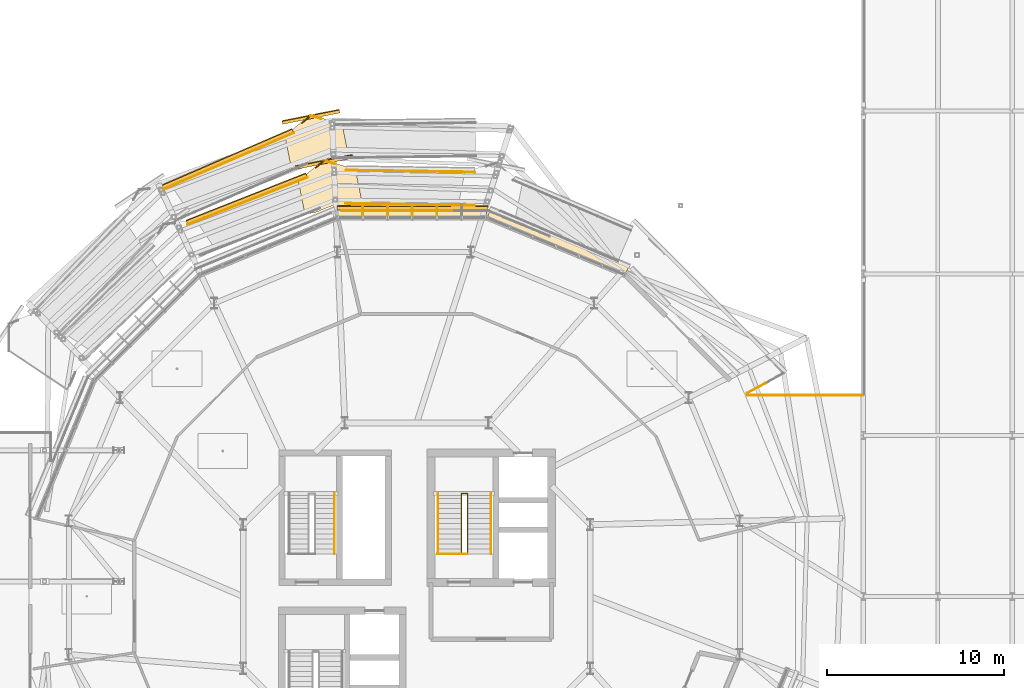
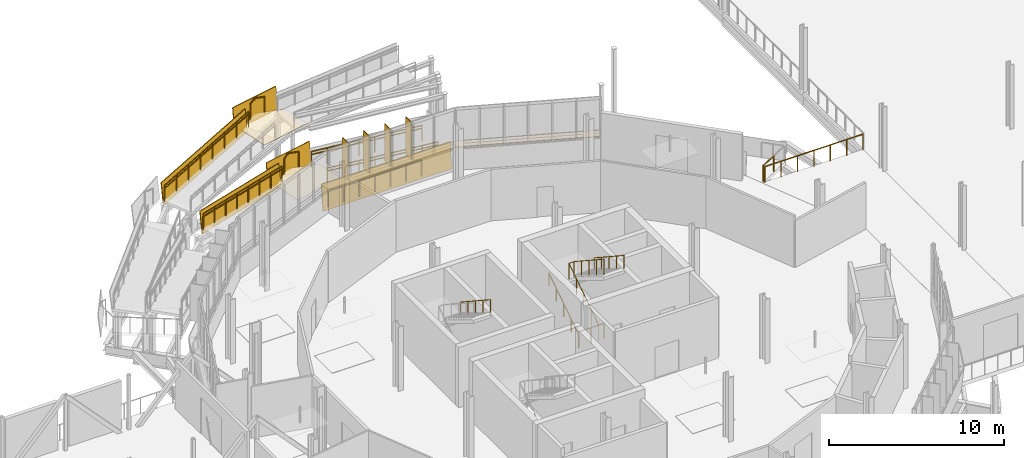
# One storey, part 133 of 139: 24 railings, 9 coverings, 4 shading devices.
"""IFC4 building model written with IfcOpenShell, lengths in metres."""

import ifcopenshell
import ifcopenshell.guid

model = None  # the IFC model being written
_history = None  # IfcOwnerHistory: only IFC2X3 demands one
_inside = {}  # id of a spatial element -> (the spatial element, [elements in it])
_under = {}  # id of a project, library or spatial element -> (it, [spatial elements below it])
_declared = {}  # id of a project -> (the project, [libraries it declares])
_typed = {}  # id of a type object -> (the type object, [elements of that type])
_made_of = {}  # id of a material, layer set ... -> (it, [elements and type objects made of it])


def new_model(schema):
    """Start an empty IFC model of exactly this schema.

    Asked for "IFC4X3", IfcOpenShell would pick the latest addendum, in which some entities
    have other attributes; the version numbers below select the first issue.
    IFC2X3 requires an IfcOwnerHistory on every rooted entity: one is made here for all.
    """
    global model, _history
    if schema == "IFC4X3":
        model = ifcopenshell.file(schema_version=(4, 3, 0, 0))
    else:
        model = ifcopenshell.file(schema=schema)
    _inside.clear()
    _under.clear()
    _declared.clear()
    _typed.clear()
    _made_of.clear()
    _history = None
    if model.schema == "IFC2X3":
        org = make("IfcOrganization", Name="unknown")
        user = make(
            "IfcPersonAndOrganization",
            ThePerson=make("IfcPerson", FamilyName="unknown"),
            TheOrganization=org,
        )
        app = make(
            "IfcApplication",
            ApplicationDeveloper=org,
            Version="unknown",
            ApplicationFullName="unknown",
            ApplicationIdentifier="unknown",
        )
        _history = make(
            "IfcOwnerHistory",
            OwningUser=user,
            OwningApplication=app,
            ChangeAction="ADDED",
            CreationDate=0,
        )
    return model


def make(cls, **values):
    """One entity of the class cls with the attributes given. An attribute that is None is left unset."""
    return model.create_entity(
        cls, **{name: value for name, value in values.items() if value is not None}
    )


def rooted(cls, **values):
    """An entity with a GlobalId (a new one), such as an element, a storey or a relation."""
    return make(cls, GlobalId=ifcopenshell.guid.new(), OwnerHistory=_history, **values)


def si_unit(unit_type, name, prefix=None):
    """IfcSIUnit, for example si_unit("LENGTHUNIT", "METRE", prefix="MILLI")."""
    return make("IfcSIUnit", UnitType=unit_type, Prefix=prefix, Name=name)


def derived_unit(unit_type, elements):
    """IfcDerivedUnit: a product of units, each with its exponent."""
    return make(
        "IfcDerivedUnit",
        Elements=[
            make("IfcDerivedUnitElement", Unit=unit, Exponent=power)
            for unit, power in elements
        ],
        UnitType=unit_type,
    )


def assignment(units):
    """IfcUnitAssignment: the units of a project."""
    return None if units is None else make("IfcUnitAssignment", Units=units)


def point(xyz):
    """IfcCartesianPoint."""
    return None if xyz is None else make("IfcCartesianPoint", Coordinates=xyz)


def direction(xyz):
    """IfcDirection."""
    return None if xyz is None else make("IfcDirection", DirectionRatios=xyz)


def frame(location, z_axis=None, x_axis=None):
    """IfcAxis2Placement3D, a coordinate frame: its origin and axes. An axis left out is left unset."""
    return make(
        "IfcAxis2Placement3D",
        Location=point(location),
        Axis=direction(z_axis),
        RefDirection=direction(x_axis),
    )


def frame_2d(location, x_axis=None):
    """IfcAxis2Placement2D, a coordinate frame in the plane: its origin and x axis."""
    return make(
        "IfcAxis2Placement2D", Location=point(location), RefDirection=direction(x_axis)
    )


def origin():
    """The frame at (0, 0, 0) with its axes left unset."""
    return frame((0.0, 0.0, 0.0))


def origin_2d():
    """The frame at (0, 0) in the plane with its x axis left unset."""
    return frame_2d((0.0, 0.0))


def place(relative_to, where):
    """IfcLocalPlacement: puts the frame where relative to a parent placement (None: the world)."""
    return make(
        "IfcLocalPlacement", PlacementRelTo=relative_to, RelativePlacement=where
    )


def context(
    kind, dimensions, precision=None, world=None, true_north=None, identifier=None
):
    """IfcGeometricRepresentationContext, for example the 3D "Model" context."""
    return make(
        "IfcGeometricRepresentationContext",
        ContextIdentifier=identifier,
        ContextType=kind,
        CoordinateSpaceDimension=dimensions,
        Precision=precision,
        WorldCoordinateSystem=world,
        TrueNorth=true_north,
    )


def subcontext(parent, identifier, kind, view, scale=None):
    """IfcGeometricRepresentationSubContext, for example "Body" below "Model"."""
    return make(
        "IfcGeometricRepresentationSubContext",
        ContextIdentifier=identifier,
        ContextType=kind,
        ParentContext=parent,
        TargetScale=scale,
        TargetView=view,
    )


def project(units=None, contexts=None):
    """IfcProject with its units and contexts."""
    return rooted(
        "IfcProject",
        Name="project",
        RepresentationContexts=contexts,
        UnitsInContext=assignment(units),
    )


def spatial(cls, under=None, at=None, **own):
    """A site, building, storey or space (cls), placed at a placement, below another one or the project."""
    s = rooted(cls, ObjectPlacement=at, **own)
    if under is not None:
        _under.setdefault(under.id(), (under, []))[1].append(s)
    return s


def polyline(points):
    """IfcPolyline through the points."""
    return make("IfcPolyline", Points=[point(p) for p in points])


def profile(cls, at=None, kind="AREA", **sizes):
    """A parametric profile (cls). Its sizes go by their IFC names, for example OverallWidth=200.0."""
    return make(cls, ProfileType=kind, Position=at, **sizes)


def rectangle(**sizes):
    """IfcRectangleProfileDef."""
    return profile("IfcRectangleProfileDef", **sizes)


def circle(**sizes):
    """IfcCircleProfileDef."""
    return profile("IfcCircleProfileDef", **sizes)


def outline(outer, holes=None, kind="AREA"):
    """IfcArbitraryClosedProfileDef: a profile drawn as a closed curve; with holes, ...WithVoids."""
    if holes is None:
        return make("IfcArbitraryClosedProfileDef", ProfileType=kind, OuterCurve=outer)
    return make(
        "IfcArbitraryProfileDefWithVoids",
        ProfileType=kind,
        OuterCurve=outer,
        InnerCurves=holes,
    )


def extrude(swept, where, along, depth):
    """IfcExtrudedAreaSolid: the profile swept, set in the frame where, extruded along a direction by depth."""
    return make(
        "IfcExtrudedAreaSolid",
        SweptArea=swept,
        Position=where,
        ExtrudedDirection=direction(along),
        Depth=depth,
    )


def shape(context_of_items, identifier, shape_type, items):
    """IfcShapeRepresentation: the items that make up one representation, for example the "Body"."""
    return make(
        "IfcShapeRepresentation",
        ContextOfItems=context_of_items,
        RepresentationIdentifier=identifier,
        RepresentationType=shape_type,
        Items=items,
    )


def material(Name=None, Category=None):
    """IfcMaterial."""
    return make("IfcMaterial", Name=Name, Category=Category)


def layer(
    of_material, thickness, ventilated=None, Name=None, Category=None, Priority=None
):
    """IfcMaterialLayer: one layer of a wall or slab, of a material (None: an air gap)."""
    return make(
        "IfcMaterialLayer",
        Material=of_material,
        LayerThickness=thickness,
        IsVentilated=ventilated,
        Name=Name,
        Category=Category,
        Priority=Priority,
    )


def layer_set(layers, Name=None):
    """IfcMaterialLayerSet."""
    return make("IfcMaterialLayerSet", MaterialLayers=layers, LayerSetName=Name)


def made_of(thing, what):
    """Note that an element or type object is made of a material, layer set ...; save() writes the relation."""
    if what is not None:
        _made_of.setdefault(what.id(), (what, []))[1].append(thing)
    return thing


def type_object(cls, material=None, **own):
    """A type object (cls), such as IfcWallType, which elements share."""
    return made_of(rooted(cls, **own), material)


def element(
    cls,
    number,
    at=None,
    inside=None,
    cuts=None,
    type_object=None,
    material=None,
    context=None,
    identifier="Body",
    shape_type=None,
    held_by="IfcProductDefinitionShape",
    body=None,
    shapes=None,
    **own,
):
    """One element of the class cls, such as IfcWall. Its Tag is "e" and its number.

    at: its placement. inside: the storey or other place that contains it. cuts: it is an
    opening in that element (IfcRelVoidsElement). A single representation is given by context,
    identifier, shape_type and body (its items); several are given by shapes. held_by: the class
    of the entity that holds the representations. save() writes the other relations.
    """
    e = rooted(cls, Tag="e%d" % number, ObjectPlacement=at, **own)
    if body is not None:
        shapes = [shape(context, identifier, shape_type, body)]
    if shapes is not None:
        e.Representation = make(held_by, Representations=shapes)
    if inside is not None:
        _inside.setdefault(inside.id(), (inside, []))[1].append(e)
    if cuts is not None:
        rooted(
            "IfcRelVoidsElement", RelatingBuildingElement=cuts, RelatedOpeningElement=e
        )
    if type_object is not None:
        _typed.setdefault(type_object.id(), (type_object, []))[1].append(e)
    return made_of(e, material)


def aggregate(whole, parts):
    """IfcRelAggregates: a whole, such as a stair, and the parts it consists of."""
    return rooted("IfcRelAggregates", RelatingObject=whole, RelatedObjects=parts)


def save(model, path):
    """Write the relations noted so far, then the file.

    IfcRelAggregates (storeys below a building ...), IfcRelContainedInSpatialStructure (elements
    in a storey), IfcRelDefinesByType, IfcRelAssociatesMaterial and IfcRelDeclares: one each for
    every whole, place, type object, material and project.
    """
    for whole, parts in _under.values():
        aggregate(whole, parts)
    for where, things in _inside.values():
        rooted(
            "IfcRelContainedInSpatialStructure",
            RelatedElements=things,
            RelatingStructure=where,
        )
    for kind, things in _typed.values():
        rooted("IfcRelDefinesByType", RelatedObjects=things, RelatingType=kind)
    for what, things in _made_of.values():
        rooted("IfcRelAssociatesMaterial", RelatedObjects=things, RelatingMaterial=what)
    for by, libraries in _declared.values():
        rooted("IfcRelDeclares", RelatingContext=by, RelatedDefinitions=libraries)
    model.write(path)


model = new_model("IFC4")

# Units and contexts
model_context = context("Model", 3, precision=1e-05, world=origin(), true_north=direction((0.0, 1.0)))
body_context = subcontext(model_context, "Body", "Model", "MODEL_VIEW")
ifc_project = project(units=[si_unit("LENGTHUNIT", "METRE"), si_unit("AREAUNIT", "SQUARE_METRE"), si_unit("VOLUMEUNIT", "CUBIC_METRE"), si_unit("PLANEANGLEUNIT", "RADIAN"), si_unit("MASSUNIT", "GRAM", prefix="KILO"), derived_unit("THERMALTRANSMITTANCEUNIT", [(si_unit("MASSUNIT", "GRAM", prefix="KILO"), 1), (si_unit("TIMEUNIT", "SECOND"), -3), (si_unit("THERMODYNAMICTEMPERATUREUNIT", "KELVIN"), -1)])], contexts=[model_context])

# Site, building, storey
site_placement = place(None, origin())
site = spatial("IfcSite", under=ifc_project, at=site_placement, CompositionType="ELEMENT")
building_placement = place(site_placement, origin())
building = spatial("IfcBuilding", under=site, at=building_placement, Name="Makaiwela Harbour Ferry Terminal", CompositionType="ELEMENT")
storey_placement = place(building_placement, frame((0.0, 0.0, 5.10009765625)))
storey = spatial("IfcBuildingStorey", under=building, at=storey_placement, Name="L01", CompositionType="ELEMENT", Elevation=5.10009765625)

# Coverings
ifc_material_1 = material(Name="White glazed marine ceramic rainscreen tile", Category="masonry")
ifc_layer_1 = layer(ifc_material_1, 0.054931640625)
ifc_layer_set_1 = layer_set([ifc_layer_1], Name="White glazed marine ceramic rainscreen tile")
covering_type_1 = type_object("IfcCoveringType", Name="ENV-CLD-CERAMIC", PredefinedType="CLADDING", material=ifc_layer_set_1)
covering_1_placement = place(storey_placement, frame((0.0, 0.0, 1.47998046875)))
element("IfcCovering", 1, at=covering_1_placement, inside=storey, type_object=covering_type_1, Name="Ceramic Ring Sill Cap CLD-0028", PredefinedType="CLADDING", context=body_context, shape_type="SweptSolid", body=[
    extrude(outline(polyline([(49.83740234375, 86.307861328125), (41.962646484375, 89.569580078125), (41.791748046875, 88.95361328125), (49.522705078125, 85.751220703125), (49.83740234375, 86.307861328125)])), origin(), (0.0, 0.0, 1.0), 0.054931640625),
])
covering_2_placement = place(storey_placement, frame((41.811767578125, 89.404296875, -0.260009765625), z_axis=(0.0, -0.994034102817, 0.109069713654), x_axis=(-1.0, 0.0, 0.0)))
element("IfcCovering", 2, at=covering_2_placement, inside=storey, type_object=covering_type_1, Name="Ceramic Spandrel Facet CLD-0029", PredefinedType="CLADDING", context=body_context, shape_type="SweptSolid", body=[
    extrude(outline(polyline([(0.0, 0.0), (8.5234375, 0.0), (8.5234375, -1.7907125035553744), (0.0, -1.7907125035553744), (0.0, 0.0)])), origin(), (0.0, 0.0, -1.0), 0.054931640625),
])
covering_3_placement = place(storey_placement, frame((0.0, 0.0, 1.47998046875)))
element("IfcCovering", 3, at=covering_3_placement, inside=storey, type_object=covering_type_1, Name="Ceramic Ring Sill Cap CLD-0030", PredefinedType="CLADDING", context=body_context, shape_type="SweptSolid", body=[
    extrude(outline(polyline([(41.811767578125, 89.599609375), (33.288330078125, 89.599609375), (33.365966796875, 88.965087890625), (41.73388671875, 88.965087890625), (41.811767578125, 89.599609375)])), origin(), (0.0, 0.0, 1.0), 0.054931640625),
])
covering_4_placement = place(storey_placement, frame((34.22265625, 92.341552734375, 0.945556640625), z_axis=(0.193910053797, -0.974844741443, 0.109893680973), x_axis=(-0.98078501504, -0.195091656081, 0.0)))
element("IfcCovering", 4, at=covering_4_placement, inside=storey, type_object=covering_type_1, Name="Coiled Ramp Ceramic Fascia CLD-R0027", PredefinedType="CLADDING", context=body_context, shape_type="SweptSolid", body=[
    extrude(outline(polyline([(0.0, 0.0), (3.299981357781899, 0.0), (3.300156921545571, -1.5292818593986046), (0.0001755637636711415, -1.5292818593986046), (0.0, 0.0)])), origin(), (0.0, 0.0, -1.0), 0.054931640625),
])
covering_5_placement = place(storey_placement, frame((31.61181640625, 91.306884765625, 0.945556640625), z_axis=(0.373822302299, -0.920961093419, 0.10994339777), x_axis=(-0.926589888124, -0.365571416989, 0.08825371554)))
element("IfcCovering", 5, at=covering_5_placement, inside=storey, type_object=covering_type_1, Name="Coiled Ramp Ceramic Fascia CLD-R0028", PredefinedType="CLADDING", context=body_context, shape_type="SweptSolid", body=[
    extrude(outline(polyline([(0.0, 0.0), (7.2864079061734115, -1.1102230246251565e-16), (7.420557159748373, -1.5231634349719725), (0.13426005072645752, -1.5233722114215582), (0.0, 0.0)])), origin(), (0.0, 0.0, -1.0), 0.054931640625),
])
covering_6_placement = place(storey_placement, frame((23.43603515625, 90.60888671875, 2.874267578125), z_axis=(0.386537525702, -0.915702102377, 0.109901778545), x_axis=(0.914919146927, 0.39574183066, 0.079444056124)))
element("IfcCovering", 6, at=covering_6_placement, inside=storey, type_object=covering_type_1, Name="Coiled Ramp Ceramic Fascia CLD-R0034", PredefinedType="CLADDING", context=body_context, shape_type="SweptSolid", body=[
    extrude(outline(polyline([(0.0, 0.0), (8.091508628652036, -1.1102230246251565e-16), (8.212347154847313, 1.5245022880185044), (0.12083852619527467, 1.5245022880185044), (0.0, 0.0)])), origin(), (0.0, 0.0, -1.0), 0.054931640625),
])
covering_7_placement = place(storey_placement, frame((33.46826171875, 94.886962890625, 3.51708984375), z_axis=(0.193910053797, -0.974844741443, 0.109893680973), x_axis=(-0.98078501504, -0.195091656081, 0.0)))
element("IfcCovering", 7, at=covering_7_placement, inside=storey, type_object=covering_type_1, Name="Coiled Ramp Ceramic Fascia CLD-R0035", PredefinedType="CLADDING", context=body_context, shape_type="SweptSolid", body=[
    extrude(outline(polyline([(0.0, 0.0), (3.299981357781899, 0.0), (3.300156921545571, -1.5292818593986046), (0.0001755637636711415, -1.5292818593986046), (0.0, 0.0)])), origin(), (0.0, 0.0, -1.0), 0.054931640625),
])

# Shading devices
ifc_material_2 = material(Name="Marine anodised aluminium 6063-T6", Category="aluminium")
ifc_layer_2 = layer(ifc_material_2, 0.054931640625)
ifc_layer_set_2 = layer_set([ifc_layer_2], Name="Marine anodised aluminium 6063-T6")
shading_device_type = type_object("IfcShadingDeviceType", Name="ENV-FIN-650", PredefinedType="USERDEFINED", material=ifc_layer_set_2)
for number, where, z_axis, x_axis, name in (
    (8, (38.944580078125, 89.403076171875, 1.614990234375), (0.0, 0.0, 1.0), (0.0, 1.0, 0.0), "Vertical Solar Fin SFN-0022"),
    (9, (37.550048828125, 89.403076171875, 1.614990234375), (0.0, 0.0, 1.0), (0.0, 1.0, 0.0), "Vertical Solar Fin SFN-0023"),
    (10, (36.1552734375, 89.403076171875, 1.614990234375), (0.0, 0.0, 1.0), (0.0, 1.0, 0.0), "Vertical Solar Fin SFN-0024"),
    (11, (34.7607421875, 89.403076171875, 1.614990234375), (0.0, 0.0, 1.0), (0.0, 1.0, 0.0), "Vertical Solar Fin SFN-0025"),
):
    element("IfcShadingDevice", number, at=place(storey_placement, frame(where, z_axis=z_axis, x_axis=x_axis)), inside=storey, type_object=shading_device_type, Name=name, ObjectType="SOLAR FIN", PredefinedType="USERDEFINED", context=body_context, shape_type="SweptSolid", body=[
        extrude(rectangle(XDim=0.64990234375, YDim=0.054931640625, at=origin_2d()), origin(), (0.0, 0.0, 1.0), 2.60009765625),
    ])

# Coverings
ifc_material_3 = material(Name="Honed coral-aggregate epoxy terrazzo flooring", Category="concrete")
ifc_layer_3 = layer(ifc_material_3, 0.02490234375)
ifc_layer_set_3 = layer_set([ifc_layer_3], Name="Honed coral-aggregate epoxy terrazzo flooring")
covering_type_2 = type_object("IfcCoveringType", Name="INT-COV-FLR", PredefinedType="FLOORING", material=ifc_layer_set_3)
covering_8_placement = place(storey_placement, frame((0.0, 0.0, 1.28564453125)))
element("IfcCovering", 12, at=covering_8_placement, inside=storey, type_object=covering_type_2, Name="Ramp Landing Terrazzo RMP-COIL-L01-LI2", PredefinedType="FLOORING", context=body_context, shape_type="SweptSolid", body=[
    extrude(outline(polyline([(32.16259765625, 89.294189453125), (33.0712890625, 89.67041015625), (33.0712890625, 89.670654296875), (33.071533203125, 89.670654296875), (33.07177734375, 89.670654296875), (33.072021484375, 89.670654296875), (34.0556640625, 89.670654296875), (34.727294921875, 89.80419921875), (34.348876953125, 91.70703125), (32.560791015625, 92.23828125), (31.1123046875, 91.063232421875), (31.49072265625, 89.160400390625), (32.16259765625, 89.294189453125)])), origin(), (0.0, 0.0, 1.0), 0.02490234375),
])
covering_9_placement = place(storey_placement, frame((0.0, 0.0, 3.85693359375)))
element("IfcCovering", 13, at=covering_9_placement, inside=storey, type_object=covering_type_2, Name="Ramp Landing Terrazzo RMP-COIL-L01-LO2", PredefinedType="FLOORING", context=body_context, shape_type="SweptSolid", body=[
    extrude(outline(polyline([(33.970947265625, 92.359375), (33.594482421875, 94.252197265625), (31.806396484375, 94.78369140625), (30.35791015625, 93.6083984375), (30.734375, 91.715576171875), (33.970947265625, 92.359375)])), origin(), (0.0, 0.0, 1.0), 0.025146484375),
])

# Railings
ifc_material_4 = material(Name="Marine grade 316L brushed stainless steel", Category="steel")
railing_type_1 = type_object("IfcRailingType", Name="INT-RL-GRD110", PredefinedType="GUARDRAIL", material=ifc_material_4)
railing_1_placement = place(storey_placement, frame((38.969970703125, 70.0, 0.0)))
element("IfcRailing", 14, at=railing_1_placement, inside=storey, type_object=railing_type_1, Name="Stair top well guardrail RL-0002", PredefinedType="GUARDRAIL", context=body_context, shape_type="SweptSolid", body=[
    extrude(circle(Radius=0.02392578125, at=origin_2d()), frame((0.0, 0.0, 1.09619140625), z_axis=(1.0, 0.0, 0.0), x_axis=(0.0, 1.0, 0.0)), (0.0, 0.0, 1.0), 1.696044921875),
    extrude(circle(Radius=0.02099609375, at=origin_2d()), origin(), (0.0, 0.0, 1.0), 1.072021484375),
    extrude(circle(Radius=0.02099609375, at=origin_2d()), frame((0.84814453125, 0.0, 0.0)), (0.0, 0.0, 1.0), 1.072021484375),
    extrude(circle(Radius=0.02099609375, at=origin_2d()), frame((1.696044921875, 0.0, 0.0)), (0.0, 0.0, 1.0), 1.072021484375),
])
railing_2_placement = place(storey_placement, frame((40.325927734375, 70.0, 0.0)))
element("IfcRailing", 15, at=railing_2_placement, inside=storey, type_object=railing_type_1, Name="Stair well guardrail RL-0005", PredefinedType="GUARDRAIL", context=body_context, shape_type="SweptSolid", body=[
    extrude(circle(Radius=0.02392578125, at=origin_2d()), frame((0.0, 0.0, 1.09619140625), z_axis=(0.0, 0.835411317272, 0.549625264133), x_axis=(-1.0, 0.0, 0.0)), (0.0, 0.0, 1.0), 4.09375),
    extrude(circle(Radius=0.02392578125, at=origin_2d()), frame((0.0, 3.419921875, 3.34619140625), z_axis=(1.0, 0.0, 0.0), x_axis=(0.0, 1.0, 0.0)), (0.0, 0.0, 1.0), 0.340087890625),
    extrude(circle(Radius=0.02392578125, at=origin_2d()), frame((0.340087890625, 3.419921875, 3.34619140625), z_axis=(0.0, -0.835411317272, 0.549625264133), x_axis=(1.0, 0.0, 0.0)), (0.0, 0.0, 1.0), 4.09375),
    extrude(circle(Radius=0.02099609375, at=origin_2d()), origin(), (0.0, 0.0, 1.0), 1.072021484375),
    extrude(circle(Radius=0.02099609375, at=origin_2d()), frame((0.0, 0.85498046875, 0.5625)), (0.0, 0.0, 1.0), 1.072021484375),
    extrude(circle(Radius=0.02099609375, at=origin_2d()), frame((0.0, 1.7099609375, 1.125)), (0.0, 0.0, 1.0), 1.072021484375),
    extrude(circle(Radius=0.02099609375, at=origin_2d()), frame((0.0, 2.56494140625, 1.6875)), (0.0, 0.0, 1.0), 1.072021484375),
    extrude(circle(Radius=0.02099609375, at=origin_2d()), frame((0.0, 3.419921875, 2.25)), (0.0, 0.0, 1.0), 1.072021484375),
    extrude(circle(Radius=0.02099609375, at=origin_2d()), frame((0.340087890625, 3.419921875, 2.25)), (0.0, 0.0, 1.0), 1.072021484375),
    extrude(circle(Radius=0.02099609375, at=origin_2d()), frame((0.340087890625, 2.56494140625, 2.8125)), (0.0, 0.0, 1.0), 1.072021484375),
    extrude(circle(Radius=0.02099609375, at=origin_2d()), frame((0.340087890625, 1.7099609375, 3.375)), (0.0, 0.0, 1.0), 1.072021484375),
    extrude(circle(Radius=0.02099609375, at=origin_2d()), frame((0.340087890625, 0.85498046875, 3.9375)), (0.0, 0.0, 1.0), 1.072021484375),
    extrude(circle(Radius=0.02099609375, at=origin_2d()), frame((0.340087890625, 0.0, 4.5)), (0.0, 0.0, 1.0), 1.072021484375),
])
for number, where, name in (
    (16, (41.044189453125, 89.67041015625, 0.642822265625), "Ramp guardrail RL-0141"),
    (17, (41.0712890625, 91.55029296875, 0.642822265625), "Ramp guardrail RL-0143"),
):
    element("IfcRailing", number, at=place(storey_placement, frame(where)), inside=storey, type_object=railing_type_1, Name=name, PredefinedType="GUARDRAIL", context=body_context, shape_type="SweptSolid", body=[
        extrude(circle(Radius=0.02392578125, at=origin_2d()), frame((0.0, 0.0, 1.09619140625), z_axis=(-0.995986833902, 0.014294535114, 0.088350964681), x_axis=(-0.014350654681, -0.999897024053, 0.0)), (0.0, 0.0, 1.0), 7.27587890625),
        extrude(circle(Radius=0.02099609375, at=origin_2d()), origin(), (0.0, 0.0, 1.0), 1.072021484375),
        extrude(circle(Radius=0.02099609375, at=origin_2d()), frame((-1.03515625, 0.014892578125, 0.091796875)), (0.0, 0.0, 1.0), 1.072021484375),
        extrude(circle(Radius=0.02099609375, at=origin_2d()), frame((-2.070556640625, 0.02978515625, 0.18359375)), (0.0, 0.0, 1.0), 1.072021484375),
        extrude(circle(Radius=0.02099609375, at=origin_2d()), frame((-3.105712890625, 0.044677734375, 0.275390625)), (0.0, 0.0, 1.0), 1.072021484375),
        extrude(circle(Radius=0.02099609375, at=origin_2d()), frame((-4.140869140625, 0.059326171875, 0.367431640625)), (0.0, 0.0, 1.0), 1.072021484375),
        extrude(circle(Radius=0.02099609375, at=origin_2d()), frame((-5.176025390625, 0.07421875, 0.459228515625)), (0.0, 0.0, 1.0), 1.072021484375),
        extrude(circle(Radius=0.02099609375, at=origin_2d()), frame((-6.21142578125, 0.089111328125, 0.551025390625)), (0.0, 0.0, 1.0), 1.072021484375),
        extrude(circle(Radius=0.02099609375, at=origin_2d()), frame((-7.24658203125, 0.10400390625, 0.642822265625)), (0.0, 0.0, 1.0), 1.072021484375),
    ])
railing_3_placement = place(storey_placement, frame((31.632568359375, 91.25390625, 1.28564453125)))
element("IfcRailing", 18, at=railing_3_placement, inside=storey, type_object=railing_type_1, Name="Ramp guardrail RL-0147", PredefinedType="GUARDRAIL", context=body_context, shape_type="SweptSolid", body=[
    extrude(circle(Radius=0.02392578125, at=origin_2d()), frame((0.0, 0.0, 1.09619140625), z_axis=(-0.926586171248, -0.365588403648, 0.088222368876), x_axis=(0.367019484203, -0.93021325416, 0.0)), (0.0, 0.0, 1.0), 7.286376953125),
    extrude(circle(Radius=0.02099609375, at=origin_2d()), origin(), (0.0, 0.0, 1.0), 1.072021484375),
    extrude(circle(Radius=0.02099609375, at=origin_2d()), frame((-0.964599609375, -0.380615234375, 0.091796875)), (0.0, 0.0, 1.0), 1.072021484375),
    extrude(circle(Radius=0.02099609375, at=origin_2d()), frame((-1.928955078125, -0.760986328125, 0.18359375)), (0.0, 0.0, 1.0), 1.072021484375),
    extrude(circle(Radius=0.02099609375, at=origin_2d()), frame((-2.8935546875, -1.1416015625, 0.275390625)), (0.0, 0.0, 1.0), 1.072021484375),
    extrude(circle(Radius=0.02099609375, at=origin_2d()), frame((-3.85791015625, -1.522216796875, 0.367431640625)), (0.0, 0.0, 1.0), 1.072021484375),
    extrude(circle(Radius=0.02099609375, at=origin_2d()), frame((-4.822509765625, -1.90283203125, 0.459228515625)), (0.0, 0.0, 1.0), 1.072021484375),
    extrude(circle(Radius=0.02099609375, at=origin_2d()), frame((-5.786865234375, -2.283203125, 0.551025390625)), (0.0, 0.0, 1.0), 1.072021484375),
    extrude(circle(Radius=0.02099609375, at=origin_2d()), frame((-6.75146484375, -2.663818359375, 0.642822265625)), (0.0, 0.0, 1.0), 1.072021484375),
])
railing_4_placement = place(storey_placement, frame((23.45849609375, 90.556640625, 3.214111328125)))
element("IfcRailing", 19, at=railing_4_placement, inside=storey, type_object=railing_type_1, Name="Ramp guardrail RL-0159", PredefinedType="GUARDRAIL", context=body_context, shape_type="SweptSolid", body=[
    extrude(circle(Radius=0.02392578125, at=origin_2d()), frame((0.0, 0.0, 1.09619140625), z_axis=(0.914924062507, 0.39573090634, 0.079441863098), x_axis=(-0.396985578938, 0.917824847188, 0.0)), (0.0, 0.0, 1.0), 8.091796875),
    extrude(circle(Radius=0.02099609375, at=origin_2d()), origin(), (0.0, 0.0, 1.0), 1.072021484375),
    extrude(circle(Radius=0.02099609375, at=origin_2d()), frame((1.0576171875, 0.45751953125, 0.091796875)), (0.0, 0.0, 1.0), 1.072021484375),
    extrude(circle(Radius=0.02099609375, at=origin_2d()), frame((2.115234375, 0.914794921875, 0.18359375)), (0.0, 0.0, 1.0), 1.072021484375),
    extrude(circle(Radius=0.02099609375, at=origin_2d()), frame((3.1728515625, 1.372314453125, 0.275390625)), (0.0, 0.0, 1.0), 1.072021484375),
    extrude(circle(Radius=0.02099609375, at=origin_2d()), frame((4.23046875, 1.829833984375, 0.367431640625)), (0.0, 0.0, 1.0), 1.072021484375),
    extrude(circle(Radius=0.02099609375, at=origin_2d()), frame((5.2880859375, 2.287353515625, 0.459228515625)), (0.0, 0.0, 1.0), 1.072021484375),
    extrude(circle(Radius=0.02099609375, at=origin_2d()), frame((6.345703125, 2.74462890625, 0.551025390625)), (0.0, 0.0, 1.0), 1.072021484375),
    extrude(circle(Radius=0.02099609375, at=origin_2d()), frame((7.4033203125, 3.2021484375, 0.642822265625)), (0.0, 0.0, 1.0), 1.072021484375),
])
railing_5_placement = place(storey_placement, frame((33.596435546875, 89.361328125, 0.0)))
element("IfcRailing", 20, at=railing_5_placement, inside=storey, type_object=railing_type_1, Name="Deck edge guardrail RL-0280", PredefinedType="GUARDRAIL", context=body_context, shape_type="SweptSolid", body=[
    extrude(circle(Radius=0.02392578125, at=origin_2d()), frame((0.0, 0.0, 1.09619140625), z_axis=(1.0, 0.0, 0.0), x_axis=(0.0, 1.0, 0.0)), (0.0, 0.0, 1.0), 2.061767578125),
    extrude(circle(Radius=0.02099609375, at=origin_2d()), origin(), (0.0, 0.0, 1.0), 1.072021484375),
    extrude(circle(Radius=0.02099609375, at=origin_2d()), frame((1.03076171875, 0.0, 0.0)), (0.0, 0.0, 1.0), 1.072021484375),
    extrude(circle(Radius=0.02099609375, at=origin_2d()), frame((2.061767578125, 0.0, 0.0)), (0.0, 0.0, 1.0), 1.072021484375),
])
railing_6_placement = place(storey_placement, frame((35.658203125, 89.361328125, 0.0)))
element("IfcRailing", 21, at=railing_6_placement, inside=storey, type_object=railing_type_1, Name="Deck edge guardrail RL-0281", PredefinedType="GUARDRAIL", context=body_context, shape_type="SweptSolid", body=[
    extrude(circle(Radius=0.02392578125, at=origin_2d()), frame((0.0, 0.0, 1.09619140625), z_axis=(1.0, 0.0, 0.0), x_axis=(0.0, 1.0, 0.0)), (0.0, 0.0, 1.0), 2.061279296875),
    extrude(circle(Radius=0.02099609375, at=origin_2d()), origin(), (0.0, 0.0, 1.0), 1.072021484375),
    extrude(circle(Radius=0.02099609375, at=origin_2d()), frame((1.03076171875, 0.0, 0.0)), (0.0, 0.0, 1.0), 1.072021484375),
    extrude(circle(Radius=0.02099609375, at=origin_2d()), frame((2.061279296875, 0.0, 0.0)), (0.0, 0.0, 1.0), 1.072021484375),
])
railing_7_placement = place(storey_placement, frame((37.719482421875, 89.361328125, 0.0)))
element("IfcRailing", 22, at=railing_7_placement, inside=storey, type_object=railing_type_1, Name="Deck edge guardrail RL-0282", PredefinedType="GUARDRAIL", context=body_context, shape_type="SweptSolid", body=[
    extrude(circle(Radius=0.02392578125, at=origin_2d()), frame((0.0, 0.0, 1.09619140625), z_axis=(1.0, 0.0, 0.0), x_axis=(0.0, 1.0, 0.0)), (0.0, 0.0, 1.0), 2.061767578125),
    extrude(circle(Radius=0.02099609375, at=origin_2d()), origin(), (0.0, 0.0, 1.0), 1.072021484375),
    extrude(circle(Radius=0.02099609375, at=origin_2d()), frame((1.03076171875, 0.0, 0.0)), (0.0, 0.0, 1.0), 1.072021484375),
    extrude(circle(Radius=0.02099609375, at=origin_2d()), frame((2.061767578125, 0.0, 0.0)), (0.0, 0.0, 1.0), 1.072021484375),
])
railing_8_placement = place(storey_placement, frame((57.4697265625, 79.636962890625, 0.0)))
element("IfcRailing", 23, at=railing_8_placement, inside=storey, type_object=railing_type_1, Name="Deck edge guardrail RL-0289", PredefinedType="GUARDRAIL", context=body_context, shape_type="SweptSolid", body=[
    extrude(circle(Radius=0.02392578125, at=origin_2d()), frame((0.0, 0.0, 1.09619140625), z_axis=(-0.877656340309, -0.47929046341, 0.0), x_axis=(0.47929046341, -0.877656340309, 0.0)), (0.0, 0.0, 1.0), 1.170654296875),
    extrude(circle(Radius=0.02099609375, at=origin_2d()), origin(), (0.0, 0.0, 1.0), 1.072021484375),
    extrude(circle(Radius=0.02099609375, at=origin_2d()), frame((-1.02734375, -0.56103515625, 0.0)), (0.0, 0.0, 1.0), 1.072021484375),
])
railing_9_placement = place(storey_placement, frame((56.4755859375, 78.955078125, 0.0)))
element("IfcRailing", 24, at=railing_9_placement, inside=storey, type_object=railing_type_1, Name="Deck edge guardrail RL-0290", PredefinedType="GUARDRAIL", context=body_context, shape_type="SweptSolid", body=[
    extrude(circle(Radius=0.02392578125, at=origin_2d()), frame((0.0, 0.0, 1.09619140625), z_axis=(1.0, 0.0, 0.0), x_axis=(0.0, 1.0, 0.0)), (0.0, 0.0, 1.0), 2.168701171875),
    extrude(circle(Radius=0.02099609375, at=origin_2d()), origin(), (0.0, 0.0, 1.0), 1.072021484375),
    extrude(circle(Radius=0.02099609375, at=origin_2d()), frame((1.08447265625, 0.0, 0.0)), (0.0, 0.0, 1.0), 1.072021484375),
    extrude(circle(Radius=0.02099609375, at=origin_2d()), frame((2.168701171875, 0.0, 0.0)), (0.0, 0.0, 1.0), 1.072021484375),
])
railing_10_placement = place(storey_placement, frame((58.644287109375, 78.955078125, 0.0)))
element("IfcRailing", 25, at=railing_10_placement, inside=storey, type_object=railing_type_1, Name="Deck edge guardrail RL-0291", PredefinedType="GUARDRAIL", context=body_context, shape_type="SweptSolid", body=[
    extrude(circle(Radius=0.02392578125, at=origin_2d()), frame((0.0, 0.0, 1.09619140625), z_axis=(1.0, 0.0, 0.0), x_axis=(0.0, 1.0, 0.0)), (0.0, 0.0, 1.0), 2.1689453125),
    extrude(circle(Radius=0.02099609375, at=origin_2d()), origin(), (0.0, 0.0, 1.0), 1.072021484375),
    extrude(circle(Radius=0.02099609375, at=origin_2d()), frame((1.08447265625, 0.0, 0.0)), (0.0, 0.0, 1.0), 1.072021484375),
    extrude(circle(Radius=0.02099609375, at=origin_2d()), frame((2.1689453125, 0.0, 0.0)), (0.0, 0.0, 1.0), 1.072021484375),
])
railing_11_placement = place(storey_placement, frame((60.813232421875, 78.955078125, 0.0)))
element("IfcRailing", 26, at=railing_11_placement, inside=storey, type_object=railing_type_1, Name="Deck edge guardrail RL-0292", PredefinedType="GUARDRAIL", context=body_context, shape_type="SweptSolid", body=[
    extrude(circle(Radius=0.02392578125, at=origin_2d()), frame((0.0, 0.0, 1.09619140625), z_axis=(1.0, 0.0, 0.0), x_axis=(0.0, 1.0, 0.0)), (0.0, 0.0, 1.0), 2.168701171875),
    extrude(circle(Radius=0.02099609375, at=origin_2d()), origin(), (0.0, 0.0, 1.0), 1.072021484375),
    extrude(circle(Radius=0.02099609375, at=origin_2d()), frame((1.08447265625, 0.0, 0.0)), (0.0, 0.0, 1.0), 1.072021484375),
    extrude(circle(Radius=0.02099609375, at=origin_2d()), frame((2.168701171875, 0.0, 0.0)), (0.0, 0.0, 1.0), 1.072021484375),
])
railing_12_placement = place(storey_placement, frame((32.10791015625, 91.81298828125, 1.28564453125)))
element("IfcRailing", 27, at=railing_12_placement, inside=storey, type_object=railing_type_1, Name="Deck edge guardrail RL-0427", PredefinedType="GUARDRAIL", context=body_context, shape_type="SweptSolid", body=[
    extrude(circle(Radius=0.02392578125, at=origin_2d()), frame((0.0, 0.0, 1.09619140625), z_axis=(0.77661492125, 0.62997560595, 0.0), x_axis=(-0.62997560595, 0.77661492125, 0.0)), (0.0, 0.0, 1.0), 0.595947265625),
    extrude(circle(Radius=0.02099609375, at=origin_2d()), origin(), (0.0, 0.0, 1.0), 1.072021484375),
    extrude(circle(Radius=0.02099609375, at=origin_2d()), frame((0.462890625, 0.37548828125, 0.0)), (0.0, 0.0, 1.0), 1.072021484375),
])
railing_13_placement = place(storey_placement, frame((32.57080078125, 92.1884765625, 1.28564453125)))
element("IfcRailing", 28, at=railing_13_placement, inside=storey, type_object=railing_type_1, Name="Deck edge guardrail RL-0428", PredefinedType="GUARDRAIL", context=body_context, shape_type="SweptSolid", body=[
    extrude(circle(Radius=0.02392578125, at=origin_2d()), frame((0.0, 0.0, 1.09619140625), z_axis=(0.958530692704, -0.284989317599, 0.0), x_axis=(0.284989317599, 0.958530692704, 0.0)), (0.0, 0.0, 1.0), 0.636474609375),
    extrude(circle(Radius=0.02099609375, at=origin_2d()), origin(), (0.0, 0.0, 1.0), 1.072021484375),
    extrude(circle(Radius=0.02099609375, at=origin_2d()), frame((0.610107421875, -0.181396484375, 0.0)), (0.0, 0.0, 1.0), 1.072021484375),
])
railing_14_placement = place(storey_placement, frame((31.32080078125, 94.331787109375, 3.85693359375)))
element("IfcRailing", 29, at=railing_14_placement, inside=storey, type_object=railing_type_1, Name="Deck edge guardrail RL-0439", PredefinedType="GUARDRAIL", context=body_context, shape_type="SweptSolid", body=[
    extrude(circle(Radius=0.02392578125, at=origin_2d()), frame((0.0, 0.0, 1.09619140625), z_axis=(0.776593785106, 0.630001661057, 0.0), x_axis=(-0.630001661057, 0.776593785106, 0.0)), (0.0, 0.0, 1.0), 0.637939453125),
    extrude(circle(Radius=0.02099609375, at=origin_2d()), origin(), (0.0, 0.0, 1.0), 1.072021484375),
    extrude(circle(Radius=0.02099609375, at=origin_2d()), frame((0.495361328125, 0.40185546875, 0.0)), (0.0, 0.0, 1.0), 1.072021484375),
])
railing_15_placement = place(storey_placement, frame((31.816162109375, 94.733642578125, 3.85693359375)))
element("IfcRailing", 30, at=railing_15_placement, inside=storey, type_object=railing_type_1, Name="Deck edge guardrail RL-0440", PredefinedType="GUARDRAIL", context=body_context, shape_type="SweptSolid", body=[
    extrude(circle(Radius=0.02392578125, at=origin_2d()), frame((0.0, 0.0, 1.09619140625), z_axis=(0.958605298499, -0.284738268749, 0.0), x_axis=(0.284738268749, 0.958605298499, 0.0)), (0.0, 0.0, 1.0), 0.60107421875),
    extrude(circle(Radius=0.02099609375, at=origin_2d()), origin(), (0.0, 0.0, 1.0), 1.072021484375),
    extrude(circle(Radius=0.02099609375, at=origin_2d()), frame((0.576171875, -0.171142578125, 0.0)), (0.0, 0.0, 1.0), 1.072021484375),
])
railing_type_2 = type_object("IfcRailingType", Name="INT-RL-HND090", PredefinedType="HANDRAIL", material=ifc_material_4)
railing_16_placement = place(storey_placement, frame((39.0, 70.0, 0.0)))
element("IfcRailing", 31, at=railing_16_placement, inside=storey, type_object=railing_type_2, Name="Stair wall handrail RL-0007", PredefinedType="HANDRAIL", context=body_context, shape_type="SweptSolid", body=[
    extrude(circle(Radius=0.02392578125, at=origin_2d()), frame((0.0, 0.0, 0.89111328125), z_axis=(0.0, 0.835411317272, 0.549625264133), x_axis=(-1.0, 0.0, 0.0)), (0.0, 0.0, 1.0), 4.09375),
    extrude(circle(Radius=0.02099609375, at=origin_2d()), origin(), (0.0, 0.0, 1.0), 0.866943359375),
    extrude(circle(Radius=0.02099609375, at=origin_2d()), frame((0.0, 0.85498046875, 0.5625)), (0.0, 0.0, 1.0), 0.866943359375),
    extrude(circle(Radius=0.02099609375, at=origin_2d()), frame((0.0, 1.7099609375, 1.125)), (0.0, 0.0, 1.0), 0.866943359375),
    extrude(circle(Radius=0.02099609375, at=origin_2d()), frame((0.0, 2.56494140625, 1.6875)), (0.0, 0.0, 1.0), 0.866943359375),
    extrude(circle(Radius=0.02099609375, at=origin_2d()), frame((0.0, 3.419921875, 2.25)), (0.0, 0.0, 1.0), 0.866943359375),
])
for number, where, name in (
    (32, (41.991943359375, 73.419921875, 2.25), "Stair upper handrail RL-0008"),
    (33, (33.159912109375, 73.419921875, 2.25), "Stair upper handrail RL-0048"),
):
    element("IfcRailing", number, at=place(storey_placement, frame(where)), inside=storey, type_object=railing_type_2, Name=name, PredefinedType="HANDRAIL", context=body_context, shape_type="SweptSolid", body=[
        extrude(circle(Radius=0.02392578125, at=origin_2d()), frame((0.0, 0.0, 0.89111328125), z_axis=(0.0, -0.835411317272, 0.549625264133), x_axis=(1.0, 0.0, 0.0)), (0.0, 0.0, 1.0), 4.09375),
        extrude(circle(Radius=0.02099609375, at=origin_2d()), origin(), (0.0, 0.0, 1.0), 0.866943359375),
        extrude(circle(Radius=0.02099609375, at=origin_2d()), frame((0.0, -0.85498046875, 0.5625)), (0.0, 0.0, 1.0), 0.866943359375),
        extrude(circle(Radius=0.02099609375, at=origin_2d()), frame((0.0, -1.7099609375, 1.125)), (0.0, 0.0, 1.0), 0.866943359375),
        extrude(circle(Radius=0.02099609375, at=origin_2d()), frame((0.0, -2.56494140625, 1.6875)), (0.0, 0.0, 1.0), 0.866943359375),
        extrude(circle(Radius=0.02099609375, at=origin_2d()), frame((0.0, -3.419921875, 2.25)), (0.0, 0.0, 1.0), 0.866943359375),
    ])
for number, where, name in (
    (34, (41.044189453125, 89.67041015625, 0.642822265625), "Ramp handrail RL-0142"),
    (35, (41.0712890625, 91.55029296875, 0.642822265625), "Ramp handrail RL-0144"),
):
    element("IfcRailing", number, at=place(storey_placement, frame(where)), inside=storey, type_object=railing_type_2, Name=name, PredefinedType="HANDRAIL", context=body_context, shape_type="SweptSolid", body=[
        extrude(circle(Radius=0.02392578125, at=origin_2d()), frame((0.0, 0.0, 0.89111328125), z_axis=(-0.995986833902, 0.014294535114, 0.088350964681), x_axis=(-0.014350654681, -0.999897024053, 0.0)), (0.0, 0.0, 1.0), 7.27587890625),
        extrude(circle(Radius=0.02099609375, at=origin_2d()), origin(), (0.0, 0.0, 1.0), 0.866943359375),
        extrude(circle(Radius=0.02099609375, at=origin_2d()), frame((-1.03515625, 0.014892578125, 0.091796875)), (0.0, 0.0, 1.0), 0.866943359375),
        extrude(circle(Radius=0.02099609375, at=origin_2d()), frame((-2.070556640625, 0.02978515625, 0.18359375)), (0.0, 0.0, 1.0), 0.866943359375),
        extrude(circle(Radius=0.02099609375, at=origin_2d()), frame((-3.105712890625, 0.044677734375, 0.275390625)), (0.0, 0.0, 1.0), 0.866943359375),
        extrude(circle(Radius=0.02099609375, at=origin_2d()), frame((-4.140869140625, 0.059326171875, 0.367431640625)), (0.0, 0.0, 1.0), 0.866943359375),
        extrude(circle(Radius=0.02099609375, at=origin_2d()), frame((-5.176025390625, 0.07421875, 0.459228515625)), (0.0, 0.0, 1.0), 0.866943359375),
        extrude(circle(Radius=0.02099609375, at=origin_2d()), frame((-6.21142578125, 0.089111328125, 0.551025390625)), (0.0, 0.0, 1.0), 0.866943359375),
        extrude(circle(Radius=0.02099609375, at=origin_2d()), frame((-7.24658203125, 0.10400390625, 0.642822265625)), (0.0, 0.0, 1.0), 0.866943359375),
    ])
railing_17_placement = place(storey_placement, frame((31.632568359375, 91.25390625, 1.28564453125)))
element("IfcRailing", 36, at=railing_17_placement, inside=storey, type_object=railing_type_2, Name="Ramp handrail RL-0148", PredefinedType="HANDRAIL", context=body_context, shape_type="SweptSolid", body=[
    extrude(circle(Radius=0.02392578125, at=origin_2d()), frame((0.0, 0.0, 0.89111328125), z_axis=(-0.926586171248, -0.365588403648, 0.088222368876), x_axis=(0.367019484203, -0.93021325416, 0.0)), (0.0, 0.0, 1.0), 7.286376953125),
    extrude(circle(Radius=0.02099609375, at=origin_2d()), origin(), (0.0, 0.0, 1.0), 0.866943359375),
    extrude(circle(Radius=0.02099609375, at=origin_2d()), frame((-0.964599609375, -0.380615234375, 0.091796875)), (0.0, 0.0, 1.0), 0.866943359375),
    extrude(circle(Radius=0.02099609375, at=origin_2d()), frame((-1.928955078125, -0.760986328125, 0.18359375)), (0.0, 0.0, 1.0), 0.866943359375),
    extrude(circle(Radius=0.02099609375, at=origin_2d()), frame((-2.8935546875, -1.1416015625, 0.275390625)), (0.0, 0.0, 1.0), 0.866943359375),
    extrude(circle(Radius=0.02099609375, at=origin_2d()), frame((-3.85791015625, -1.522216796875, 0.367431640625)), (0.0, 0.0, 1.0), 0.866943359375),
    extrude(circle(Radius=0.02099609375, at=origin_2d()), frame((-4.822509765625, -1.90283203125, 0.459228515625)), (0.0, 0.0, 1.0), 0.866943359375),
    extrude(circle(Radius=0.02099609375, at=origin_2d()), frame((-5.786865234375, -2.283203125, 0.551025390625)), (0.0, 0.0, 1.0), 0.866943359375),
    extrude(circle(Radius=0.02099609375, at=origin_2d()), frame((-6.75146484375, -2.663818359375, 0.642822265625)), (0.0, 0.0, 1.0), 0.866943359375),
])
railing_18_placement = place(storey_placement, frame((23.45849609375, 90.556640625, 3.214111328125)))
element("IfcRailing", 37, at=railing_18_placement, inside=storey, type_object=railing_type_2, Name="Ramp handrail RL-0160", PredefinedType="HANDRAIL", context=body_context, shape_type="SweptSolid", body=[
    extrude(circle(Radius=0.02392578125, at=origin_2d()), frame((0.0, 0.0, 0.89111328125), z_axis=(0.914924062507, 0.39573090634, 0.079441863098), x_axis=(-0.396985578938, 0.917824847188, 0.0)), (0.0, 0.0, 1.0), 8.091796875),
    extrude(circle(Radius=0.02099609375, at=origin_2d()), origin(), (0.0, 0.0, 1.0), 0.866943359375),
    extrude(circle(Radius=0.02099609375, at=origin_2d()), frame((1.0576171875, 0.45751953125, 0.091796875)), (0.0, 0.0, 1.0), 0.866943359375),
    extrude(circle(Radius=0.02099609375, at=origin_2d()), frame((2.115234375, 0.914794921875, 0.18359375)), (0.0, 0.0, 1.0), 0.866943359375),
    extrude(circle(Radius=0.02099609375, at=origin_2d()), frame((3.1728515625, 1.372314453125, 0.275390625)), (0.0, 0.0, 1.0), 0.866943359375),
    extrude(circle(Radius=0.02099609375, at=origin_2d()), frame((4.23046875, 1.829833984375, 0.367431640625)), (0.0, 0.0, 1.0), 0.866943359375),
    extrude(circle(Radius=0.02099609375, at=origin_2d()), frame((5.2880859375, 2.287353515625, 0.459228515625)), (0.0, 0.0, 1.0), 0.866943359375),
    extrude(circle(Radius=0.02099609375, at=origin_2d()), frame((6.345703125, 2.74462890625, 0.551025390625)), (0.0, 0.0, 1.0), 0.866943359375),
    extrude(circle(Radius=0.02099609375, at=origin_2d()), frame((7.4033203125, 3.2021484375, 0.642822265625)), (0.0, 0.0, 1.0), 0.866943359375),
])

save(model, "model.ifc")
